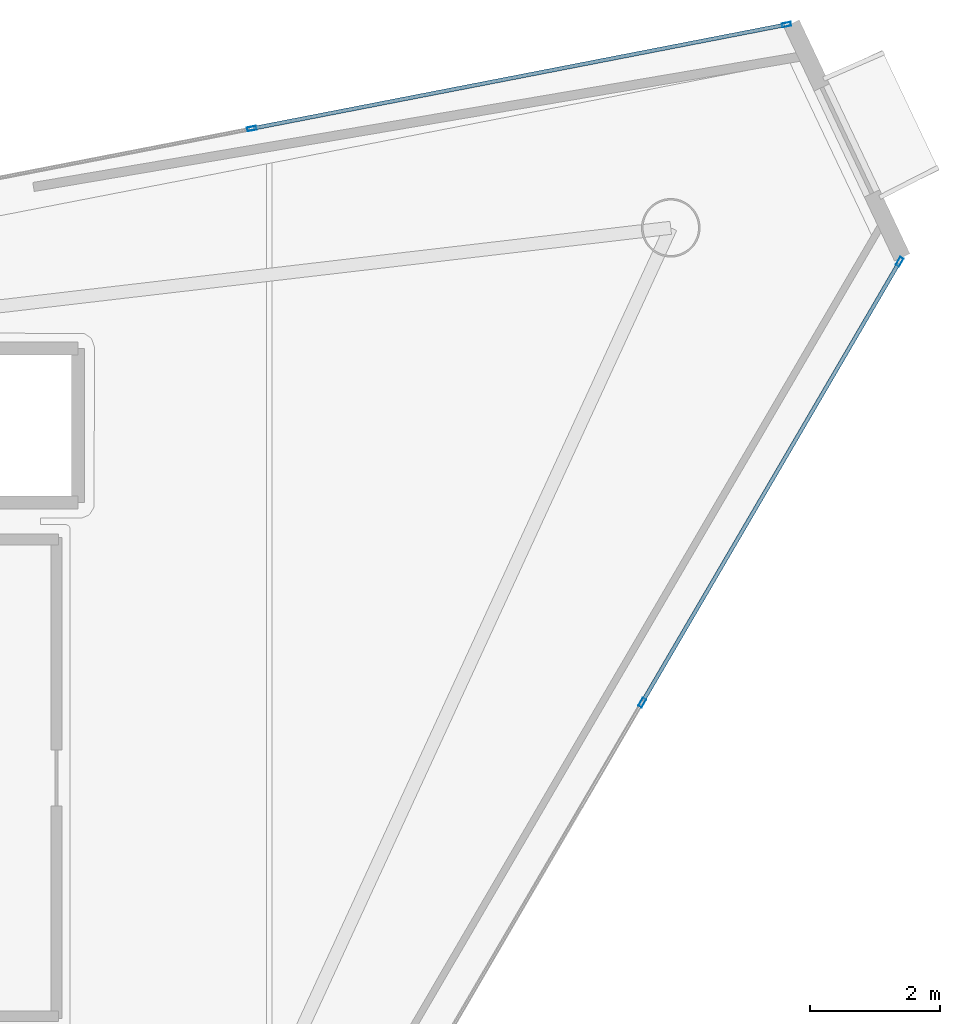
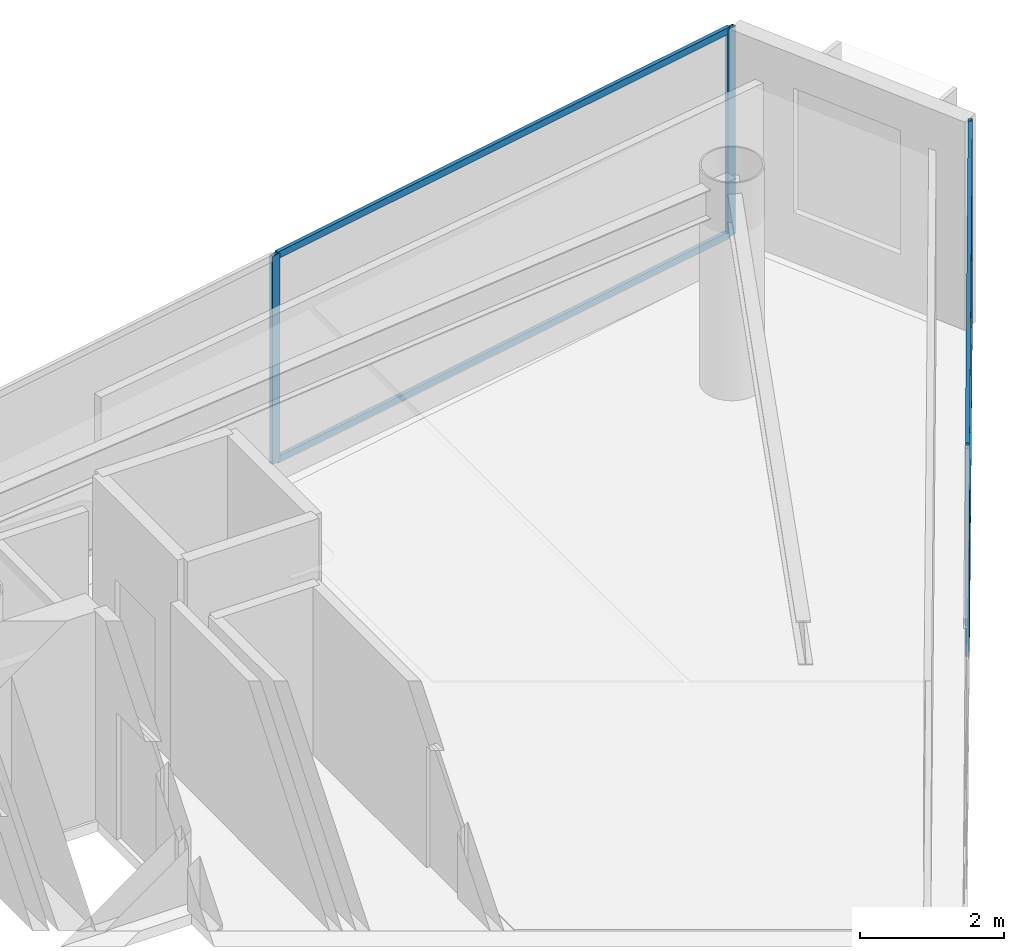
# One storey, part 16 of 22: 8 members, 2 elements without a shape of their own.
"""IFC4 building model written with IfcOpenShell, lengths in metres."""

from ifc_helpers import new_model, si_unit, direction, frame, origin, origin_2d, place, context, subcontext, project, spatial, hollow_rectangle, extrude, material, layer, layer_set, material_profile, profile_set, type_object, element, aggregate, save


model = new_model("IFC4")

# Units and contexts
model_context = context("Model", 3, precision=1e-05, world=origin(), true_north=direction((0.0, 1.0)))
body_context = subcontext(model_context, "Body", "Model", "MODEL_VIEW")
ifc_project = project(units=[si_unit("LENGTHUNIT", "METRE"), si_unit("AREAUNIT", "SQUARE_METRE"), si_unit("VOLUMEUNIT", "CUBIC_METRE"), si_unit("PLANEANGLEUNIT", "RADIAN"), si_unit("MASSUNIT", "GRAM", prefix="KILO")], contexts=[model_context])

# Site, building, storey
site_placement = place(None, origin())
site = spatial("IfcSite", under=ifc_project, at=site_placement, CompositionType="ELEMENT")
building_placement = place(site_placement, origin())
building = spatial("IfcBuilding", under=site, at=building_placement, Name="Qianvela Tower", CompositionType="ELEMENT")
storey_placement = place(building_placement, frame((0.0, 0.0, 299.10009765625)))
storey = spatial("IfcBuildingStorey", under=building, at=storey_placement, Name="L77", CompositionType="ELEMENT", Elevation=299.10009765625)

# Curtain wall, members
ifc_material_1 = material(Name="Anodised Architectural Aluminium and Low-E Glass", Category="aluminium")
ifc_layer = layer(ifc_material_1, 0.14990234375)
ifc_layer_set = layer_set([ifc_layer], Name="Anodised Architectural Aluminium and Low-E Glass")
curtain_wall_type = type_object("IfcCurtainWallType", Name="CW-COLIV-Z78", PredefinedType="USERDEFINED", material=ifc_layer_set)
curtain_wall_1_placement = place(storey_placement, origin())
curtain_wall_1 = element("IfcCurtainWall", 1, at=curtain_wall_1_placement, inside=storey, type_object=curtain_wall_type, Name="L77 CW-COLIV-Z78 Curtain Wall 02A", ObjectType="CURTAIN_WALL_SYSTEM", PredefinedType="USERDEFINED")
ifc_material_2 = material(Name="Anodised Architectural Aluminium 6063-T6", Category="aluminium")
ifc_material_profile_1 = material_profile(ifc_material_2, hollow_rectangle(XDim=0.06005859375, YDim=0.139892578125, WallThickness=0.00439453125, at=origin_2d()), Name="ALU-MULL-60x140")
ifc_profile_set_1 = profile_set([ifc_material_profile_1], Name="Anodised Architectural Aluminium 6063-T6")
member_type_1 = type_object("IfcMemberType", Name="CW-COLIV-Z78-MULL", PredefinedType="MULLION", material=ifc_profile_set_1)
member_1_placement = place(storey_placement, frame((54.423095703125, 40.253662109375, 0.0), z_axis=(0.0, 0.0, 1.0), x_axis=(0.190929794093, -0.981603694842, 0.0)))
member_1 = element("IfcMember", 2, at=member_1_placement, type_object=member_type_1, Name="CW-6 mullion 1", PredefinedType="MULLION", context=body_context, shape_type="SweptSolid", body=[
    extrude(hollow_rectangle(XDim=0.06005859375, YDim=0.139892578125, WallThickness=0.00439453125, at=origin_2d()), origin(), (0.0, 0.0, 1.0), 3.52001953125),
])
member_2_placement = place(storey_placement, frame((46.216796875, 38.65771484375, 0.0), z_axis=(0.0, 0.0, 1.0), x_axis=(0.190929794093, -0.981603694842, 0.0)))
member_2 = element("IfcMember", 3, at=member_2_placement, type_object=member_type_1, Name="CW-6 mullion 2", PredefinedType="MULLION", context=body_context, shape_type="SweptSolid", body=[
    extrude(hollow_rectangle(XDim=0.06005859375, YDim=0.139892578125, WallThickness=0.00439453125, at=origin_2d()), origin(), (0.0, 0.0, 1.0), 3.52001953125),
])

curtain_wall_2_placement = place(storey_placement, origin())
curtain_wall_2 = element("IfcCurtainWall", 4, at=curtain_wall_2_placement, inside=storey, type_object=curtain_wall_type, Name="L77 CW-COLIV-Z78 Curtain Wall 06C", ObjectType="CURTAIN_WALL_SYSTEM", PredefinedType="USERDEFINED")
member_3_placement = place(storey_placement, frame((52.2080078125, 29.8466796875, 0.0), z_axis=(0.0, 0.0, 1.0), x_axis=(-0.863509722447, 0.504332191357, 0.0)))
member_3 = element("IfcMember", 5, at=member_3_placement, type_object=member_type_1, Name="CW-6 mullion 2", PredefinedType="MULLION", context=body_context, shape_type="SweptSolid", body=[
    extrude(hollow_rectangle(XDim=0.06005859375, YDim=0.139892578125, WallThickness=0.00439453125, at=origin_2d()), origin(), (0.0, 0.0, 1.0), 3.52001953125),
])
member_4_placement = place(storey_placement, frame((56.15966796875, 36.61279296875, 0.0), z_axis=(0.0, 0.0, 1.0), x_axis=(-0.863509722447, 0.504332191357, 0.0)))
member_4 = element("IfcMember", 6, at=member_4_placement, type_object=member_type_1, Name="CW-6 mullion 3", PredefinedType="MULLION", context=body_context, shape_type="SweptSolid", body=[
    extrude(hollow_rectangle(XDim=0.06005859375, YDim=0.139892578125, WallThickness=0.00439453125, at=origin_2d()), origin(), (0.0, 0.0, 1.0), 3.52001953125),
])

# Member
ifc_material_3 = material(Name="Anodised Architectural Aluminium 6063-T6", Category="aluminium")
ifc_material_profile_2 = material_profile(ifc_material_3, hollow_rectangle(XDim=0.06005859375, YDim=0.114990234375, WallThickness=0.00390625, at=origin_2d()), Name="ALU-TRAN-60x115")
ifc_profile_set_2 = profile_set([ifc_material_profile_2], Name="Anodised Architectural Aluminium 6063-T6")
member_type_2 = type_object("IfcMemberType", Name="CW-COLIV-Z78-TRAN", PredefinedType="USERDEFINED", material=ifc_profile_set_2)
member_5_placement = place(storey_placement, frame((54.3935546875, 40.248046875, 0.02978515625), z_axis=(-0.981603293707, -0.190931856386, 0.0), x_axis=(0.190931856386, -0.981603293707, 0.0)))
member_5 = element("IfcMember", 7, at=member_5_placement, type_object=member_type_2, Name="CW-6 transom 1.1", ObjectType="TRANSOM", PredefinedType="USERDEFINED", context=body_context, shape_type="SweptSolid", body=[
    extrude(hollow_rectangle(XDim=0.06005859375, YDim=0.114990234375, WallThickness=0.00390625, at=origin_2d()), origin(), (0.0, 0.0, 1.0), 8.2998046875),
])

member_6_placement = place(storey_placement, frame((54.3935546875, 40.248046875, 3.489990234375), z_axis=(-0.981603293707, -0.190931856386, 0.0), x_axis=(0.190931856386, -0.981603293707, 0.0)))
member_6 = element("IfcMember", 8, at=member_6_placement, type_object=member_type_2, Name="CW-6 transom 1.2", ObjectType="TRANSOM", PredefinedType="USERDEFINED", context=body_context, shape_type="SweptSolid", body=[
    extrude(hollow_rectangle(XDim=0.06005859375, YDim=0.114990234375, WallThickness=0.00390625, at=origin_2d()), origin(), (0.0, 0.0, 1.0), 8.2998046875),
])

aggregate(curtain_wall_1, [member_1, member_2, member_5, member_6])

member_7_placement = place(storey_placement, frame((52.22314453125, 29.87255859375, 0.02978515625), z_axis=(0.504319969829, 0.863516860306, 0.0), x_axis=(-0.863516860306, 0.504319969829, 0.0)))
member_7 = element("IfcMember", 9, at=member_7_placement, type_object=member_type_2, Name="CW-6 transom 2.1", ObjectType="TRANSOM", PredefinedType="USERDEFINED", context=body_context, shape_type="SweptSolid", body=[
    extrude(hollow_rectangle(XDim=0.06005859375, YDim=0.114990234375, WallThickness=0.00390625, at=origin_2d()), origin(), (0.0, 0.0, 1.0), 7.775634765625),
])

member_8_placement = place(storey_placement, frame((52.22314453125, 29.87255859375, 3.489990234375), z_axis=(0.504319969829, 0.863516860306, 0.0), x_axis=(-0.863516860306, 0.504319969829, 0.0)))
member_8 = element("IfcMember", 10, at=member_8_placement, type_object=member_type_2, Name="CW-6 transom 2.2", ObjectType="TRANSOM", PredefinedType="USERDEFINED", context=body_context, shape_type="SweptSolid", body=[
    extrude(hollow_rectangle(XDim=0.06005859375, YDim=0.114990234375, WallThickness=0.00390625, at=origin_2d()), origin(), (0.0, 0.0, 1.0), 7.775634765625),
])

aggregate(curtain_wall_2, [member_3, member_4, member_7, member_8])

save(model, "model.ifc")
